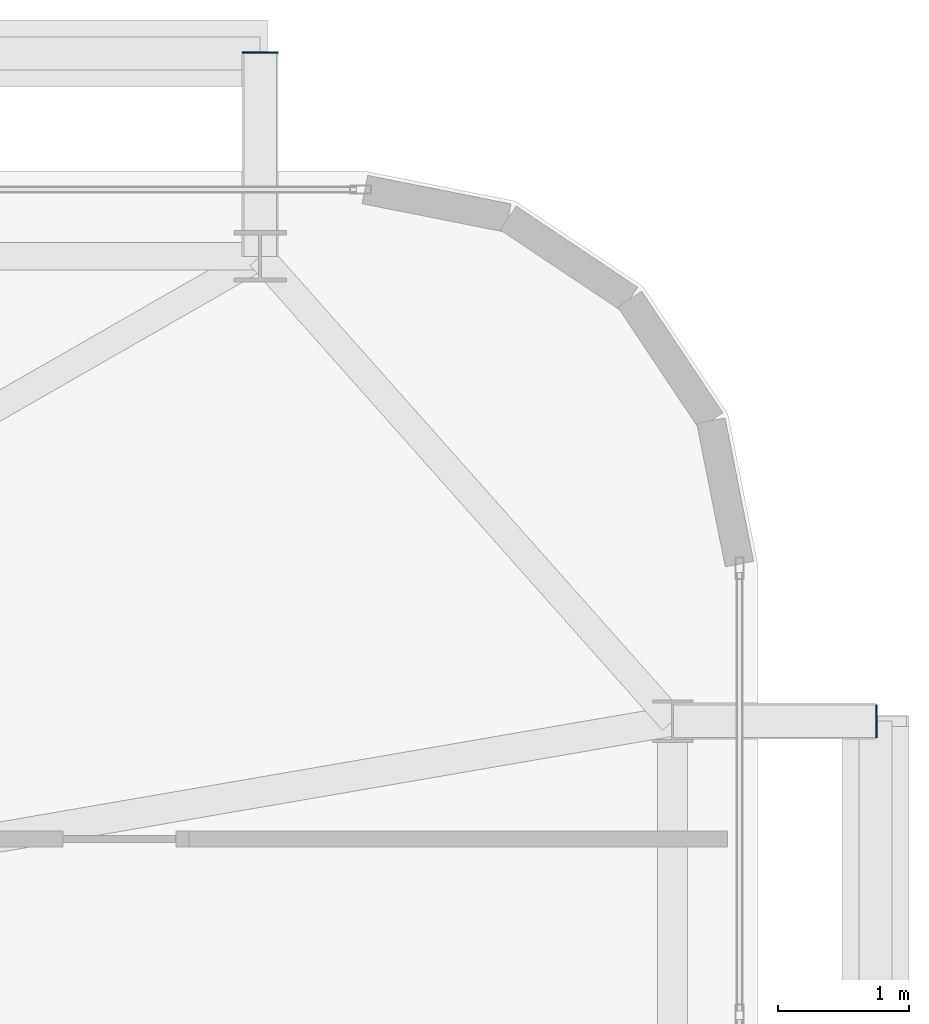
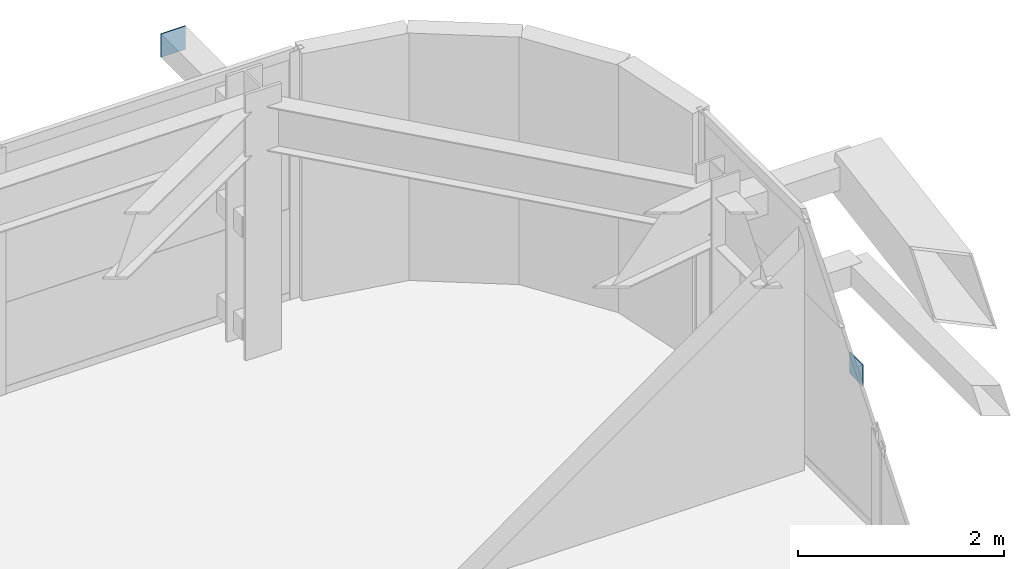
# One storey, part 51 of 59: 2 plates.
"""IFC4 building model written with IfcOpenShell, lengths in metres."""

from ifc_helpers import new_model, si_unit, direction, frame, origin, origin_2d, place, context, subcontext, project, spatial, rectangle, extrude, source, transform, mapped, material, layer, layer_set, type_object, element, save


model = new_model("IFC4")

# Units and contexts
model_context = context("Model", 3, precision=1e-05, world=origin(), true_north=direction((0.0, 1.0)))
body_context = subcontext(model_context, "Body", "Model", "MODEL_VIEW")
ifc_project = project(units=[si_unit("LENGTHUNIT", "METRE"), si_unit("AREAUNIT", "SQUARE_METRE"), si_unit("VOLUMEUNIT", "CUBIC_METRE"), si_unit("PLANEANGLEUNIT", "RADIAN"), si_unit("MASSUNIT", "GRAM", prefix="KILO")], contexts=[model_context])

# Site, building, storey
site_placement = place(None, origin())
site = spatial("IfcSite", under=ifc_project, at=site_placement, CompositionType="ELEMENT")
building_placement = place(site_placement, origin())
building = spatial("IfcBuilding", under=site, at=building_placement, Name="Taldren Reach Tower", CompositionType="ELEMENT")
storey_placement = place(building_placement, frame((0.0, 0.0, 19.949951171875)))
storey = spatial("IfcBuildingStorey", under=building, at=storey_placement, Name="L05", CompositionType="ELEMENT", Elevation=19.949951171875)

# Plates
ifc_material_1 = material(Name="Steel Gr 450 (C450L0)", Category="steel")
ifc_layer_1 = layer(ifc_material_1, 0.011962890625)
ifc_layer_set_1 = layer_set([ifc_layer_1], Name="Steel Gr 450 (C450L0)")
plate_type_1 = type_object("IfcPlateType", Name="PL-CAP-275", PredefinedType="SHEET", material=ifc_layer_set_1)
shared_shape_1 = source(origin(), body_context, "Body", "SweptSolid", [
    extrude(rectangle(XDim=0.27490234375, YDim=0.011962890625, at=origin_2d()), origin(), (0.0, 0.0, 1.0), 0.27490234375),
])
plate_1_placement = place(storey_placement, frame((61.199951171875, 39.406005859375, 2.5126953125), z_axis=(0.0, 0.0, 1.0), x_axis=(1.0, 0.0, 0.0)))
element("IfcPlate", 1, at=plate_1_placement, inside=storey, type_object=plate_type_1, Name="Tie strut end cap plate B1-N6 L05", PredefinedType="SHEET", context=body_context, shape_type="MappedRepresentation", body=[
    mapped(shared_shape_1, transform((0.0, 0.0, 0.0), scale=1.0)),
])
ifc_material_2 = material(Name="Steel Gr 350 (C350L0)", Category="steel")
ifc_layer_2 = layer(ifc_material_2, 0.011962890625)
ifc_layer_set_2 = layer_set([ifc_layer_2], Name="Steel Gr 350 (C350L0)")
plate_type_2 = type_object("IfcPlateType", Name="PL-CAP-250", PredefinedType="SHEET", material=ifc_layer_set_2)
shared_shape_2 = source(origin(), body_context, "Body", "SweptSolid", [
    extrude(rectangle(XDim=0.011962890625, YDim=0.25, at=origin_2d()), origin(), (0.0, 0.0, 1.0), 0.25),
])
plate_2_placement = place(storey_placement, frame((65.906005859375, 34.300048828125, 0.094970703125), z_axis=(0.0, 0.0, 1.0), x_axis=(1.0, 0.0, 0.0)))
element("IfcPlate", 2, at=plate_2_placement, inside=storey, type_object=plate_type_2, Name="Tie strut end cap plate B1-E3 L05", PredefinedType="SHEET", context=body_context, shape_type="MappedRepresentation", body=[
    mapped(shared_shape_2, transform((0.0, 0.0, 0.0), scale=1.0)),
])

save(model, "model.ifc")
